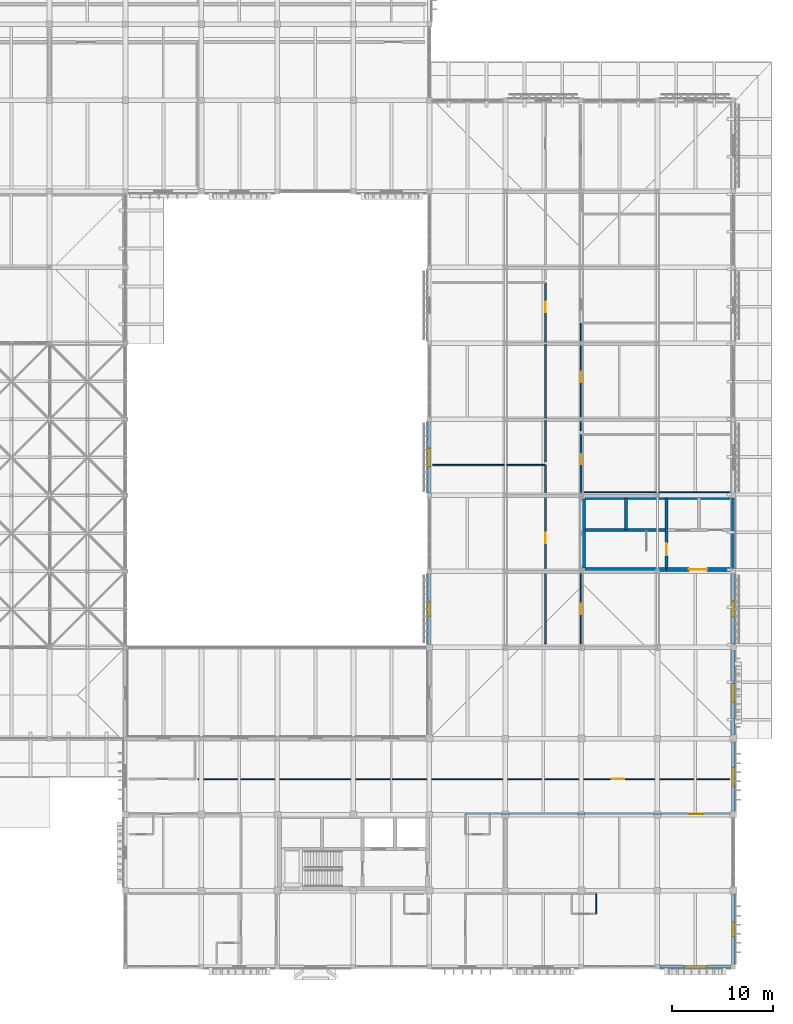
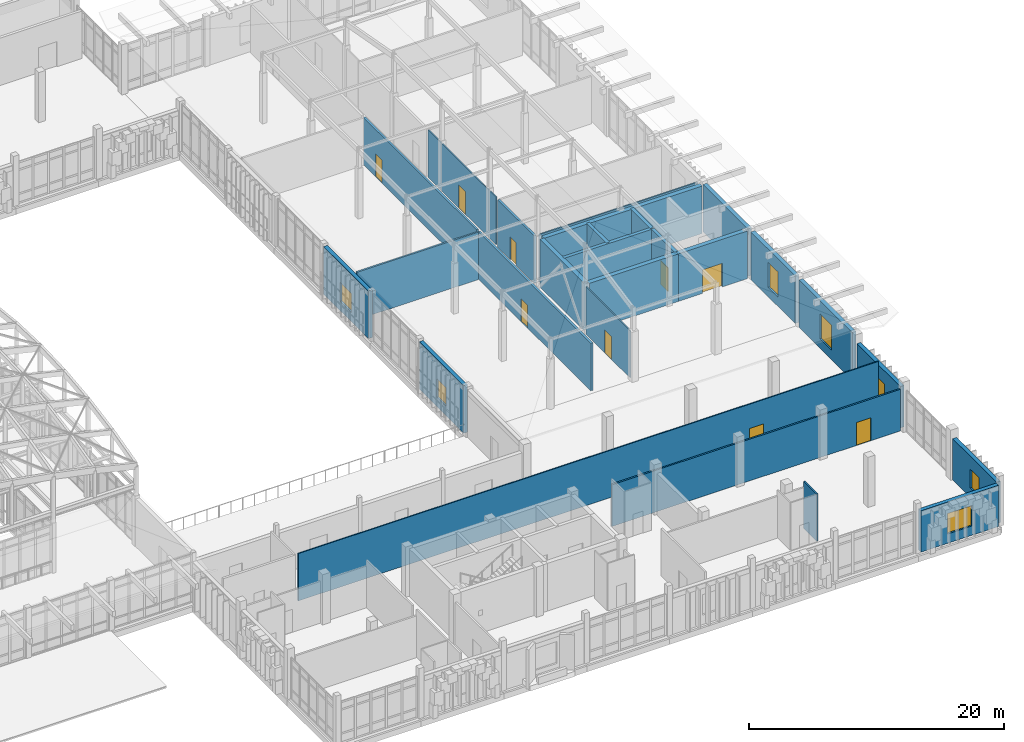
# One storey, part 108 of 131: 26 walls, 9 doors, 7 windows, 16 openings.
"""IFC4 building model written with IfcOpenShell, lengths in metres."""

import ifcopenshell
import ifcopenshell.guid

model = None  # the IFC model being written
_history = None  # IfcOwnerHistory: only IFC2X3 demands one
_inside = {}  # id of a spatial element -> (the spatial element, [elements in it])
_under = {}  # id of a project, library or spatial element -> (it, [spatial elements below it])
_declared = {}  # id of a project -> (the project, [libraries it declares])
_typed = {}  # id of a type object -> (the type object, [elements of that type])
_made_of = {}  # id of a material, layer set ... -> (it, [elements and type objects made of it])


def new_model(schema):
    """Start an empty IFC model of exactly this schema.

    Asked for "IFC4X3", IfcOpenShell would pick the latest addendum, in which some entities
    have other attributes; the version numbers below select the first issue.
    IFC2X3 requires an IfcOwnerHistory on every rooted entity: one is made here for all.
    """
    global model, _history
    if schema == "IFC4X3":
        model = ifcopenshell.file(schema_version=(4, 3, 0, 0))
    else:
        model = ifcopenshell.file(schema=schema)
    _inside.clear()
    _under.clear()
    _declared.clear()
    _typed.clear()
    _made_of.clear()
    _history = None
    if model.schema == "IFC2X3":
        org = make("IfcOrganization", Name="unknown")
        user = make(
            "IfcPersonAndOrganization",
            ThePerson=make("IfcPerson", FamilyName="unknown"),
            TheOrganization=org,
        )
        app = make(
            "IfcApplication",
            ApplicationDeveloper=org,
            Version="unknown",
            ApplicationFullName="unknown",
            ApplicationIdentifier="unknown",
        )
        _history = make(
            "IfcOwnerHistory",
            OwningUser=user,
            OwningApplication=app,
            ChangeAction="ADDED",
            CreationDate=0,
        )
    return model


def make(cls, **values):
    """One entity of the class cls with the attributes given. An attribute that is None is left unset."""
    return model.create_entity(
        cls, **{name: value for name, value in values.items() if value is not None}
    )


def rooted(cls, **values):
    """An entity with a GlobalId (a new one), such as an element, a storey or a relation."""
    return make(cls, GlobalId=ifcopenshell.guid.new(), OwnerHistory=_history, **values)


def si_unit(unit_type, name, prefix=None):
    """IfcSIUnit, for example si_unit("LENGTHUNIT", "METRE", prefix="MILLI")."""
    return make("IfcSIUnit", UnitType=unit_type, Prefix=prefix, Name=name)


def assignment(units):
    """IfcUnitAssignment: the units of a project."""
    return None if units is None else make("IfcUnitAssignment", Units=units)


def point(xyz):
    """IfcCartesianPoint."""
    return None if xyz is None else make("IfcCartesianPoint", Coordinates=xyz)


def direction(xyz):
    """IfcDirection."""
    return None if xyz is None else make("IfcDirection", DirectionRatios=xyz)


def frame(location, z_axis=None, x_axis=None):
    """IfcAxis2Placement3D, a coordinate frame: its origin and axes. An axis left out is left unset."""
    return make(
        "IfcAxis2Placement3D",
        Location=point(location),
        Axis=direction(z_axis),
        RefDirection=direction(x_axis),
    )


def frame_2d(location, x_axis=None):
    """IfcAxis2Placement2D, a coordinate frame in the plane: its origin and x axis."""
    return make(
        "IfcAxis2Placement2D", Location=point(location), RefDirection=direction(x_axis)
    )


def origin():
    """The frame at (0, 0, 0) with its axes left unset."""
    return frame((0.0, 0.0, 0.0))


def place(relative_to, where):
    """IfcLocalPlacement: puts the frame where relative to a parent placement (None: the world)."""
    return make(
        "IfcLocalPlacement", PlacementRelTo=relative_to, RelativePlacement=where
    )


def context(
    kind, dimensions, precision=None, world=None, true_north=None, identifier=None
):
    """IfcGeometricRepresentationContext, for example the 3D "Model" context."""
    return make(
        "IfcGeometricRepresentationContext",
        ContextIdentifier=identifier,
        ContextType=kind,
        CoordinateSpaceDimension=dimensions,
        Precision=precision,
        WorldCoordinateSystem=world,
        TrueNorth=true_north,
    )


def subcontext(parent, identifier, kind, view, scale=None):
    """IfcGeometricRepresentationSubContext, for example "Body" below "Model"."""
    return make(
        "IfcGeometricRepresentationSubContext",
        ContextIdentifier=identifier,
        ContextType=kind,
        ParentContext=parent,
        TargetScale=scale,
        TargetView=view,
    )


def project(units=None, contexts=None):
    """IfcProject with its units and contexts."""
    return rooted(
        "IfcProject",
        Name="project",
        RepresentationContexts=contexts,
        UnitsInContext=assignment(units),
    )


def spatial(cls, under=None, at=None, **own):
    """A site, building, storey or space (cls), placed at a placement, below another one or the project."""
    s = rooted(cls, ObjectPlacement=at, **own)
    if under is not None:
        _under.setdefault(under.id(), (under, []))[1].append(s)
    return s


def profile(cls, at=None, kind="AREA", **sizes):
    """A parametric profile (cls). Its sizes go by their IFC names, for example OverallWidth=200.0."""
    return make(cls, ProfileType=kind, Position=at, **sizes)


def rectangle(**sizes):
    """IfcRectangleProfileDef."""
    return profile("IfcRectangleProfileDef", **sizes)


def extrude(swept, where, along, depth):
    """IfcExtrudedAreaSolid: the profile swept, set in the frame where, extruded along a direction by depth."""
    return make(
        "IfcExtrudedAreaSolid",
        SweptArea=swept,
        Position=where,
        ExtrudedDirection=direction(along),
        Depth=depth,
    )


def shape(context_of_items, identifier, shape_type, items):
    """IfcShapeRepresentation: the items that make up one representation, for example the "Body"."""
    return make(
        "IfcShapeRepresentation",
        ContextOfItems=context_of_items,
        RepresentationIdentifier=identifier,
        RepresentationType=shape_type,
        Items=items,
    )


def material(Name=None, Category=None):
    """IfcMaterial."""
    return make("IfcMaterial", Name=Name, Category=Category)


def layer(
    of_material, thickness, ventilated=None, Name=None, Category=None, Priority=None
):
    """IfcMaterialLayer: one layer of a wall or slab, of a material (None: an air gap)."""
    return make(
        "IfcMaterialLayer",
        Material=of_material,
        LayerThickness=thickness,
        IsVentilated=ventilated,
        Name=Name,
        Category=Category,
        Priority=Priority,
    )


def layer_set(layers, Name=None):
    """IfcMaterialLayerSet."""
    return make("IfcMaterialLayerSet", MaterialLayers=layers, LayerSetName=Name)


def made_of(thing, what):
    """Note that an element or type object is made of a material, layer set ...; save() writes the relation."""
    if what is not None:
        _made_of.setdefault(what.id(), (what, []))[1].append(thing)
    return thing


def type_object(cls, material=None, **own):
    """A type object (cls), such as IfcWallType, which elements share."""
    return made_of(rooted(cls, **own), material)


def element(
    cls,
    number,
    at=None,
    inside=None,
    cuts=None,
    type_object=None,
    material=None,
    context=None,
    identifier="Body",
    shape_type=None,
    held_by="IfcProductDefinitionShape",
    body=None,
    shapes=None,
    **own,
):
    """One element of the class cls, such as IfcWall. Its Tag is "e" and its number.

    at: its placement. inside: the storey or other place that contains it. cuts: it is an
    opening in that element (IfcRelVoidsElement). A single representation is given by context,
    identifier, shape_type and body (its items); several are given by shapes. held_by: the class
    of the entity that holds the representations. save() writes the other relations.
    """
    e = rooted(cls, Tag="e%d" % number, ObjectPlacement=at, **own)
    if body is not None:
        shapes = [shape(context, identifier, shape_type, body)]
    if shapes is not None:
        e.Representation = make(held_by, Representations=shapes)
    if inside is not None:
        _inside.setdefault(inside.id(), (inside, []))[1].append(e)
    if cuts is not None:
        rooted(
            "IfcRelVoidsElement", RelatingBuildingElement=cuts, RelatedOpeningElement=e
        )
    if type_object is not None:
        _typed.setdefault(type_object.id(), (type_object, []))[1].append(e)
    return made_of(e, material)


def fill(opening, filler):
    """IfcRelFillsElement: the door or window that sits in an opening."""
    return rooted(
        "IfcRelFillsElement",
        RelatingOpeningElement=opening,
        RelatedBuildingElement=filler,
    )


def aggregate(whole, parts):
    """IfcRelAggregates: a whole, such as a stair, and the parts it consists of."""
    return rooted("IfcRelAggregates", RelatingObject=whole, RelatedObjects=parts)


def save(model, path):
    """Write the relations noted so far, then the file.

    IfcRelAggregates (storeys below a building ...), IfcRelContainedInSpatialStructure (elements
    in a storey), IfcRelDefinesByType, IfcRelAssociatesMaterial and IfcRelDeclares: one each for
    every whole, place, type object, material and project.
    """
    for whole, parts in _under.values():
        aggregate(whole, parts)
    for where, things in _inside.values():
        rooted(
            "IfcRelContainedInSpatialStructure",
            RelatedElements=things,
            RelatingStructure=where,
        )
    for kind, things in _typed.values():
        rooted("IfcRelDefinesByType", RelatedObjects=things, RelatingType=kind)
    for what, things in _made_of.values():
        rooted("IfcRelAssociatesMaterial", RelatedObjects=things, RelatingMaterial=what)
    for by, libraries in _declared.values():
        rooted("IfcRelDeclares", RelatingContext=by, RelatedDefinitions=libraries)
    model.write(path)


model = new_model("IFC4")

# Units and contexts
model_context = context("Model", 3, precision=1e-05, world=origin(), true_north=direction((0.0, 1.0)))
body_context = subcontext(model_context, "Body", "Model", "MODEL_VIEW")
ifc_project = project(units=[si_unit("LENGTHUNIT", "METRE"), si_unit("AREAUNIT", "SQUARE_METRE"), si_unit("VOLUMEUNIT", "CUBIC_METRE"), si_unit("PLANEANGLEUNIT", "RADIAN"), si_unit("MASSUNIT", "GRAM", prefix="KILO")], contexts=[model_context])

# Site, building, storey
site_placement = place(None, origin())
site = spatial("IfcSite", under=ifc_project, at=site_placement, CompositionType="ELEMENT")
building_placement = place(site_placement, origin())
building = spatial("IfcBuilding", under=site, at=building_placement, Name="Dalvernix Boulevard General Hospital", CompositionType="ELEMENT")
storey_placement = place(building_placement, frame((0.0, 0.0, 9.300048828125)))
storey = spatial("IfcBuildingStorey", under=building, at=storey_placement, Name="L02", CompositionType="ELEMENT", Elevation=9.300048828125)

# Wall
ifc_material_1 = material(Name="Concrete C40/50", Category="concrete")
ifc_layer_1 = layer(ifc_material_1, 0.39990234375)
ifc_layer_set_1 = layer_set([ifc_layer_1], Name="Concrete C40/50 (WAL-CSW-01)")
wall_type_1 = type_object("IfcWallType", Name="WAL-CSW-01", PredefinedType="SHEAR", material=ifc_layer_set_1)
wall_1_placement = place(storey_placement, frame((157.85009765625, 39.199951171875, 0.0), z_axis=(0.0, 0.0, 1.0), x_axis=(1.0, 0.0, 0.0)))
element("IfcWall", 1, at=wall_1_placement, inside=storey, type_object=wall_type_1, Name="L02 C6 south stairwell wall", PredefinedType="SHEAR", context=body_context, shape_type="SweptSolid", body=[
    extrude(rectangle(XDim=8.0498046875, YDim=0.39990234375, at=frame_2d((4.02490234375, 0.0))), origin(), (0.0, 0.0, 1.0), 4.550048828125),
])

# Wall, opening, door
wall_2_placement = place(storey_placement, frame((165.89990234375, 39.199951171875, 0.0), z_axis=(0.0, 0.0, 1.0), x_axis=(1.0, 0.0, 0.0)))
wall_2 = element("IfcWall", 2, at=wall_2_placement, inside=storey, type_object=wall_type_1, Name="L02 C6 south firefighting lobby wall", PredefinedType="SHEAR", context=body_context, shape_type="SweptSolid", body=[
    extrude(rectangle(XDim=6.25, YDim=0.39990234375, at=frame_2d((3.125, 0.0))), origin(), (0.0, 0.0, 1.0), 4.550048828125),
])
opening_1_placement = place(wall_2_placement, frame((2.199951171875, 0.0, 0.0)))
opening_1 = element("IfcOpeningElement", 3, at=opening_1_placement, cuts=wall_2, Name="Opening FD-01", PredefinedType="OPENING", context=body_context, shape_type="SweptSolid", body=[
    extrude(rectangle(XDim=1.800048828125, YDim=2.25, at=frame_2d((0.89990234375, 1.125))), frame((0.0, 0.2099609375, 0.0), z_axis=(0.0, -1.0, 0.0), x_axis=(1.0, 0.0, 0.0)), (0.0, 0.0, 1.0), 0.419921875),
])
ifc_material_2 = material(Name="Hospital laminate acoustic timber and steel frame", Category="steel")
door_type_1 = type_object("IfcDoorType", Name="DR-FD-01", OperationType="DOUBLE_DOOR_SINGLE_SWING", PredefinedType="DOOR", material=ifc_material_2)
door_1_placement = place(opening_1_placement, origin())
door_1 = element("IfcDoor", 4, at=door_1_placement, inside=storey, type_object=door_type_1, Name="L02 C6 firefighting lobby door", OperationType="DOUBLE_DOOR_SINGLE_SWING", OverallHeight=2.25, OverallWidth=1.800048828125, PredefinedType="DOOR", context=body_context, shape_type="SweptSolid", body=[
    extrude(rectangle(XDim=1.800048828125, YDim=2.25, at=frame_2d((0.89990234375, 1.125))), frame((0.0, 0.02490234375, 0.0), z_axis=(0.0, -1.0, 0.0), x_axis=(1.0, 0.0, 0.0)), (0.0, 0.0, 1.0), 0.050048828125),
])
fill(opening_1, door_1)

# Walls
wall_3_placement = place(storey_placement, frame((157.85009765625, 46.300048828125, 0.0), z_axis=(0.0, 0.0, 1.0), x_axis=(1.0, 0.0, 0.0)))
element("IfcWall", 5, at=wall_3_placement, inside=storey, type_object=wall_type_1, Name="L02 C6 north shaft core wall", PredefinedType="SHEAR", context=body_context, shape_type="SweptSolid", body=[
    extrude(rectangle(XDim=14.2998046875, YDim=0.39990234375, at=frame_2d((7.14990234375, 0.0))), origin(), (0.0, 0.0, 1.0), 4.550048828125),
])
wall_4_placement = place(storey_placement, frame((157.699951171875, 39.35009765625, 0.0), z_axis=(0.0, 0.0, 1.0), x_axis=(0.0, 1.0, 0.0)))
element("IfcWall", 6, at=wall_4_placement, inside=storey, type_object=wall_type_1, Name="L02 C6 west core wall", PredefinedType="SHEAR", context=body_context, shape_type="SweptSolid", body=[
    extrude(rectangle(XDim=6.7998046875, YDim=0.39990234375, at=frame_2d((3.39990234375, 0.0))), origin(), (0.0, 0.0, 1.0), 4.550048828125),
])
ifc_layer_2 = layer(ifc_material_1, 0.300048828125)
ifc_layer_set_2 = layer_set([ifc_layer_2], Name="Concrete C40/50 (WAL-CSW-02)")
wall_type_2 = type_object("IfcWallType", Name="WAL-CSW-02", PredefinedType="SHEAR", material=ifc_layer_set_2)
wall_5_placement = place(storey_placement, frame((157.85009765625, 43.10009765625, 0.0), z_axis=(0.0, 0.0, 1.0), x_axis=(1.0, 0.0, 0.0)))
element("IfcWall", 7, at=wall_5_placement, inside=storey, type_object=wall_type_2, Name="L02 C6 riser spine wall", PredefinedType="SHEAR", context=body_context, shape_type="SweptSolid", body=[
    extrude(rectangle(XDim=8.0498046875, YDim=0.300048828125, at=frame_2d((4.02490234375, 0.0))), origin(), (0.0, 0.0, 1.0), 4.550048828125),
])

# Wall, opening, door
wall_6_placement = place(storey_placement, frame((165.89990234375, 43.0, 0.0), z_axis=(0.0, 0.0, 1.0), x_axis=(0.0, -1.0, 0.0)))
wall_6 = element("IfcWall", 8, at=wall_6_placement, inside=storey, type_object=wall_type_2, Name="L02 C6 stairwell fire wall", PredefinedType="SHEAR", context=body_context, shape_type="SweptSolid", body=[
    extrude(rectangle(XDim=3.64990234375, YDim=0.300048828125, at=frame_2d((1.824951171875, 0.0))), origin(), (0.0, 0.0, 1.0), 4.550048828125),
])
opening_2_placement = place(wall_6_placement, frame((1.219970703125, 0.0, 0.0)))
opening_2 = element("IfcOpeningElement", 9, at=opening_2_placement, cuts=wall_6, Name="Opening FD-02", PredefinedType="OPENING", context=body_context, shape_type="SweptSolid", body=[
    extrude(rectangle(XDim=1.199951171875, YDim=2.25, at=frame_2d((0.60009765625, 1.125))), frame((0.0, 0.159912109375, 0.0), z_axis=(0.0, -1.0, 0.0), x_axis=(1.0, 0.0, 0.0)), (0.0, 0.0, 1.0), 0.320068359375),
])
door_type_2 = type_object("IfcDoorType", Name="DR-FD-02", OperationType="NOTDEFINED", PredefinedType="DOOR", material=ifc_material_2)
door_2_placement = place(opening_2_placement, origin())
door_2 = element("IfcDoor", 10, at=door_2_placement, inside=storey, type_object=door_type_2, Name="L02 Stair ST-06 fire door", OperationType="SINGLE_SWING_RIGHT", OverallHeight=2.25, OverallWidth=1.199951171875, PredefinedType="DOOR", context=body_context, shape_type="SweptSolid", body=[
    extrude(rectangle(XDim=1.199951171875, YDim=2.25, at=frame_2d((0.60009765625, 1.125))), frame((0.0, 0.02490234375, 0.0), z_axis=(0.0, -1.0, 0.0), x_axis=(1.0, 0.0, 0.0)), (0.0, 0.0, 1.0), 0.050048828125),
])
fill(opening_2, door_2)

# Walls
for number, where, z_axis, x_axis, name in (
    (11, (161.89990234375, 43.10009765625, 0.0), (0.0, 0.0, 1.0), (0.0, 1.0, 0.0), "L02 C6 shaft divider R1"),
    (12, (165.89990234375, 43.10009765625, 0.0), (0.0, 0.0, 1.0), (0.0, 1.0, 0.0), "L02 C6 shaft divider R2"),
):
    element("IfcWall", number, at=place(storey_placement, frame(where, z_axis=z_axis, x_axis=x_axis)), inside=storey, type_object=wall_type_2, Name=name, PredefinedType="SHEAR", context=body_context, shape_type="SweptSolid", body=[
        extrude(rectangle(XDim=3.14990234375, YDim=0.300048828125, at=frame_2d((1.574951171875, 0.0))), origin(), (0.0, 0.0, 1.0), 4.550048828125),
    ])
ifc_layer_3 = layer(ifc_material_1, 0.35009765625)
ifc_layer_set_3 = layer_set([ifc_layer_3], Name="Concrete C40/50 (WAL-ESW-01)")
wall_type_3 = type_object("IfcWallType", Name="WAL-ESW-01", PredefinedType="SHEAR", material=ifc_layer_set_3)
wall_7_placement = place(storey_placement, frame((172.5, 46.264892578125, 0.0), z_axis=(0.0, 0.0, 1.0), x_axis=(0.0, -1.0, 0.0)))
element("IfcWall", 13, at=wall_7_placement, inside=storey, type_object=wall_type_3, Name="L02 core perimeter shear wall E 23-5", PredefinedType="SHEAR", context=body_context, shape_type="SweptSolid", body=[
    extrude(rectangle(XDim=7.02978515625, YDim=0.35009765625, at=frame_2d((3.514892578125, 0.0))), origin(), (0.0, 0.0, 1.0), 4.550048828125),
])

# Wall, opening, window
ifc_material_3 = material(Name="Pressed Catalan clay brick and insulated concrete cavity wall C35/45", Category="masonry")
ifc_layer_4 = layer(ifc_material_3, 0.35009765625)
ifc_layer_set_4 = layer_set([ifc_layer_4], Name="Pressed Catalan clay brick and insulated concrete cavity wall C35/45 (WAL-EW-01)")
wall_type_4 = type_object("IfcWallType", Name="WAL-EW-01", PredefinedType="STANDARD", material=ifc_layer_set_4)
wall_8_placement = place(storey_placement, frame((142.5, 31.81005859375, 0.0), z_axis=(0.0, 0.0, 1.0), x_axis=(0.0, 1.0, 0.0)))
wall_8 = element("IfcWall", 14, at=wall_8_placement, inside=storey, type_object=wall_type_4, Name="L02 Catalan brick external wall W 19-4", PredefinedType="STANDARD", context=body_context, shape_type="SweptSolid", body=[
    extrude(rectangle(XDim=6.954833984375, YDim=0.35009765625, at=frame_2d((3.4775390625, 0.0))), origin(), (0.0, 0.0, 1.0), 4.550048828125),
])
opening_3_placement = place(wall_8_placement, frame((2.777587890625, 0.0, 0.89990234375)))
opening_3 = element("IfcOpeningElement", 15, at=opening_3_placement, cuts=wall_8, Name="Opening WN-14", PredefinedType="OPENING", context=body_context, shape_type="SweptSolid", body=[
    extrude(rectangle(XDim=1.39990234375, YDim=1.800048828125, at=frame_2d((0.699951171875, 0.89990234375))), frame((0.0, 0.18505859375, 0.0), z_axis=(0.0, -1.0, 0.0), x_axis=(1.0, 0.0, 0.0)), (0.0, 0.0, 1.0), 0.3701171875),
])
ifc_material_4 = material(Name="Thermally broken aluminium frame with solar-control double glazing", Category="aluminium")
window_type_1 = type_object("IfcWindowType", Name="WIN-WN-14", PartitioningType="SINGLE_PANEL", PredefinedType="WINDOW", material=ifc_material_4)
window_1_placement = place(opening_3_placement, origin())
window_1 = element("IfcWindow", 16, at=window_1_placement, inside=storey, type_object=window_type_1, Name="L02 clinical window WN-14 W 19-4", OverallHeight=1.800048828125, OverallWidth=1.39990234375, PartitioningType="SINGLE_PANEL", PredefinedType="WINDOW", context=body_context, shape_type="SweptSolid", body=[
    extrude(rectangle(XDim=1.39990234375, YDim=1.800048828125, at=frame_2d((0.699951171875, 0.89990234375))), frame((0.0, 0.030029296875, 0.0), z_axis=(0.0, -1.0, 0.0), x_axis=(1.0, 0.0, 0.0)), (0.0, 0.0, 1.0), 0.06005859375),
])
fill(opening_3, window_1)

wall_9_placement = place(storey_placement, frame((142.5, 46.735107421875, 0.0), z_axis=(0.0, 0.0, 1.0), x_axis=(0.0, 1.0, 0.0)))
wall_9 = element("IfcWall", 17, at=wall_9_placement, inside=storey, type_object=wall_type_4, Name="L02 Catalan brick external wall W 19-6", PredefinedType="STANDARD", context=body_context, shape_type="SweptSolid", body=[
    extrude(rectangle(XDim=7.02978515625, YDim=0.35009765625, at=frame_2d((3.514892578125, 0.0))), origin(), (0.0, 0.0, 1.0), 4.550048828125),
])
opening_4_placement = place(wall_9_placement, frame((2.614990234375, 0.0, 0.89990234375)))
opening_4 = element("IfcOpeningElement", 18, at=opening_4_placement, cuts=wall_9, Name="Opening WN-16", PredefinedType="OPENING", context=body_context, shape_type="SweptSolid", body=[
    extrude(rectangle(XDim=1.800048828125, YDim=1.800048828125, at=frame_2d((0.89990234375, 0.89990234375))), frame((0.0, 0.18505859375, 0.0), z_axis=(0.0, -1.0, 0.0), x_axis=(1.0, 0.0, 0.0)), (0.0, 0.0, 1.0), 0.3701171875),
])
window_type_2 = type_object("IfcWindowType", Name="WIN-WN-16", PartitioningType="SINGLE_PANEL", PredefinedType="WINDOW", material=ifc_material_4)
window_2_placement = place(opening_4_placement, origin())
window_2 = element("IfcWindow", 19, at=window_2_placement, inside=storey, type_object=window_type_2, Name="L02 clinical window WN-16 W 19-6", OverallHeight=1.800048828125, OverallWidth=1.800048828125, PartitioningType="SINGLE_PANEL", PredefinedType="WINDOW", context=body_context, shape_type="SweptSolid", body=[
    extrude(rectangle(XDim=1.800048828125, YDim=1.800048828125, at=frame_2d((0.89990234375, 0.89990234375))), frame((0.0, 0.030029296875, 0.0), z_axis=(0.0, -1.0, 0.0), x_axis=(1.0, 0.0, 0.0)), (0.0, 0.0, 1.0), 0.06005859375),
])
fill(opening_4, window_2)

wall_10_placement = place(storey_placement, frame((172.264892578125, 0.0, 0.0), z_axis=(0.0, 0.0, 1.0), x_axis=(-1.0, 0.0, 0.0)))
wall_10 = element("IfcWall", 20, at=wall_10_placement, inside=storey, type_object=wall_type_4, Name="L02 Catalan brick external wall S 22-0", PredefinedType="STANDARD", context=body_context, shape_type="SweptSolid", body=[
    extrude(rectangle(XDim=7.02978515625, YDim=0.35009765625, at=frame_2d((3.514892578125, 0.0))), origin(), (0.0, 0.0, 1.0), 3.949951171875),
])
opening_5_placement = place(wall_10_placement, frame((2.4150390625, 0.0, 0.89990234375)))
opening_5 = element("IfcOpeningElement", 21, at=opening_5_placement, cuts=wall_10, Name="Opening WN-13", PredefinedType="OPENING", context=body_context, shape_type="SweptSolid", body=[
    extrude(rectangle(XDim=2.199951171875, YDim=1.949951171875, at=frame_2d((1.10009765625, 0.97509765625))), frame((0.0, 0.18505859375, 0.0), z_axis=(0.0, -1.0, 0.0), x_axis=(1.0, 0.0, 0.0)), (0.0, 0.0, 1.0), 0.3701171875),
])
window_type_3 = type_object("IfcWindowType", Name="WIN-WN-13", PartitioningType="SINGLE_PANEL", PredefinedType="WINDOW", material=ifc_material_4)
window_3_placement = place(opening_5_placement, origin())
window_3 = element("IfcWindow", 22, at=window_3_placement, inside=storey, type_object=window_type_3, Name="L02 clinical window WN-13 S 22-0", OverallHeight=1.949951171875, OverallWidth=2.199951171875, PartitioningType="SINGLE_PANEL", PredefinedType="WINDOW", context=body_context, shape_type="SweptSolid", body=[
    extrude(rectangle(XDim=2.199951171875, YDim=1.949951171875, at=frame_2d((1.10009765625, 0.97509765625))), frame((0.0, 0.030029296875, 0.0), z_axis=(0.0, -1.0, 0.0), x_axis=(1.0, 0.0, 0.0)), (0.0, 0.0, 1.0), 0.06005859375),
])
fill(opening_5, window_3)

wall_11_placement = place(storey_placement, frame((172.5, 7.139892578125, 0.0), z_axis=(0.0, 0.0, 1.0), x_axis=(0.0, -1.0, 0.0)))
wall_11 = element("IfcWall", 23, at=wall_11_placement, inside=storey, type_object=wall_type_4, Name="L02 Catalan brick external wall E 23-0", PredefinedType="STANDARD", context=body_context, shape_type="SweptSolid", body=[
    extrude(rectangle(XDim=6.90478515625, YDim=0.35009765625, at=frame_2d((3.452392578125, 0.0))), origin(), (0.0, 0.0, 1.0), 3.949951171875),
])
opening_6_placement = place(wall_11_placement, frame((2.75244140625, 0.0, 0.89990234375)))
opening_6 = element("IfcOpeningElement", 24, at=opening_6_placement, cuts=wall_11, Name="Opening WN-14", PredefinedType="OPENING", context=body_context, shape_type="SweptSolid", body=[
    extrude(rectangle(XDim=1.39990234375, YDim=1.800048828125, at=frame_2d((0.699951171875, 0.89990234375))), frame((0.0, 0.18505859375, 0.0), z_axis=(0.0, -1.0, 0.0), x_axis=(1.0, 0.0, 0.0)), (0.0, 0.0, 1.0), 0.3701171875),
])
window_4_placement = place(opening_6_placement, origin())
window_4 = element("IfcWindow", 25, at=window_4_placement, inside=storey, type_object=window_type_1, Name="L02 clinical window WN-14 E 23-0", OverallHeight=1.800048828125, OverallWidth=1.39990234375, PartitioningType="SINGLE_PANEL", PredefinedType="WINDOW", context=body_context, shape_type="SweptSolid", body=[
    extrude(rectangle(XDim=1.39990234375, YDim=1.800048828125, at=frame_2d((0.699951171875, 0.89990234375))), frame((0.0, 0.030029296875, 0.0), z_axis=(0.0, -1.0, 0.0), x_axis=(1.0, 0.0, 0.0)), (0.0, 0.0, 1.0), 0.06005859375),
])
fill(opening_6, window_4)

wall_12_placement = place(storey_placement, frame((172.5, 22.139892578125, 0.0), z_axis=(0.0, 0.0, 1.0), x_axis=(0.0, -1.0, 0.0)))
wall_12 = element("IfcWall", 26, at=wall_12_placement, inside=storey, type_object=wall_type_4, Name="L02 Catalan brick external wall E 23-2", PredefinedType="STANDARD", context=body_context, shape_type="SweptSolid", body=[
    extrude(rectangle(XDim=6.804931640625, YDim=0.35009765625, at=frame_2d((3.40234375, 0.0))), origin(), (0.0, 0.0, 1.0), 3.949951171875),
])
opening_7_placement = place(wall_12_placement, frame((2.50244140625, 0.0, 0.89990234375)))
opening_7 = element("IfcOpeningElement", 27, at=opening_7_placement, cuts=wall_12, Name="Opening WN-16", PredefinedType="OPENING", context=body_context, shape_type="SweptSolid", body=[
    extrude(rectangle(XDim=1.800048828125, YDim=1.800048828125, at=frame_2d((0.89990234375, 0.89990234375))), frame((0.0, 0.18505859375, 0.0), z_axis=(0.0, -1.0, 0.0), x_axis=(1.0, 0.0, 0.0)), (0.0, 0.0, 1.0), 0.3701171875),
])
window_5_placement = place(opening_7_placement, origin())
window_5 = element("IfcWindow", 28, at=window_5_placement, inside=storey, type_object=window_type_2, Name="L02 clinical window WN-16 E 23-2", OverallHeight=1.800048828125, OverallWidth=1.800048828125, PartitioningType="SINGLE_PANEL", PredefinedType="WINDOW", context=body_context, shape_type="SweptSolid", body=[
    extrude(rectangle(XDim=1.800048828125, YDim=1.800048828125, at=frame_2d((0.89990234375, 0.89990234375))), frame((0.0, 0.030029296875, 0.0), z_axis=(0.0, -1.0, 0.0), x_axis=(1.0, 0.0, 0.0)), (0.0, 0.0, 1.0), 0.06005859375),
])
fill(opening_7, window_5)

wall_13_placement = place(storey_placement, frame((172.5, 31.18994140625, 0.0), z_axis=(0.0, 0.0, 1.0), x_axis=(0.0, -1.0, 0.0)))
wall_13 = element("IfcWall", 29, at=wall_13_placement, inside=storey, type_object=wall_type_4, Name="L02 Catalan brick external wall E 23-3", PredefinedType="STANDARD", context=body_context, shape_type="SweptSolid", body=[
    extrude(rectangle(XDim=8.329833984375, YDim=0.35009765625, at=frame_2d((4.1650390625, 0.0))), origin(), (0.0, 0.0, 1.0), 4.550048828125),
])
opening_8_placement = place(wall_13_placement, frame((3.264892578125, 0.0, 0.89990234375)))
opening_8 = element("IfcOpeningElement", 30, at=opening_8_placement, cuts=wall_13, Name="Opening WN-01", PredefinedType="OPENING", context=body_context, shape_type="SweptSolid", body=[
    extrude(rectangle(XDim=1.800048828125, YDim=2.39990234375, at=frame_2d((0.89990234375, 1.199951171875))), frame((0.0, 0.18505859375, 0.0), z_axis=(0.0, -1.0, 0.0), x_axis=(1.0, 0.0, 0.0)), (0.0, 0.0, 1.0), 0.3701171875),
])
window_type_4 = type_object("IfcWindowType", Name="WIN-WN-01", PartitioningType="SINGLE_PANEL", PredefinedType="WINDOW", material=ifc_material_4)
window_6_placement = place(opening_8_placement, origin())
window_6 = element("IfcWindow", 31, at=window_6_placement, inside=storey, type_object=window_type_4, Name="L02 clinical window WN-01 E 23-3", OverallHeight=2.39990234375, OverallWidth=1.800048828125, PartitioningType="SINGLE_PANEL", PredefinedType="WINDOW", context=body_context, shape_type="SweptSolid", body=[
    extrude(rectangle(XDim=1.800048828125, YDim=2.39990234375, at=frame_2d((0.89990234375, 1.199951171875))), frame((0.0, 0.030029296875, 0.0), z_axis=(0.0, -1.0, 0.0), x_axis=(1.0, 0.0, 0.0)), (0.0, 0.0, 1.0), 0.06005859375),
])
fill(opening_8, window_6)

wall_14_placement = place(storey_placement, frame((172.5, 38.764892578125, 0.0), z_axis=(0.0, 0.0, 1.0), x_axis=(0.0, -1.0, 0.0)))
wall_14 = element("IfcWall", 32, at=wall_14_placement, inside=storey, type_object=wall_type_4, Name="L02 Catalan brick external wall E 23-4", PredefinedType="STANDARD", context=body_context, shape_type="SweptSolid", body=[
    extrude(rectangle(XDim=6.954833984375, YDim=0.35009765625, at=frame_2d((3.4775390625, 0.0))), origin(), (0.0, 0.0, 1.0), 4.550048828125),
])
opening_9_placement = place(wall_14_placement, frame((2.7275390625, 0.0, 0.89990234375)))
opening_9 = element("IfcOpeningElement", 33, at=opening_9_placement, cuts=wall_14, Name="Opening WN-02", PredefinedType="OPENING", context=body_context, shape_type="SweptSolid", body=[
    extrude(rectangle(XDim=1.5, YDim=2.39990234375, at=frame_2d((0.75, 1.199951171875))), frame((0.0, 0.18505859375, 0.0), z_axis=(0.0, -1.0, 0.0), x_axis=(1.0, 0.0, 0.0)), (0.0, 0.0, 1.0), 0.3701171875),
])
window_type_5 = type_object("IfcWindowType", Name="WIN-WN-02", PartitioningType="SINGLE_PANEL", PredefinedType="WINDOW", material=ifc_material_4)
window_7_placement = place(opening_9_placement, origin())
window_7 = element("IfcWindow", 34, at=window_7_placement, inside=storey, type_object=window_type_5, Name="L02 clinical window WN-02 E 23-4", OverallHeight=2.39990234375, OverallWidth=1.5, PartitioningType="SINGLE_PANEL", PredefinedType="WINDOW", context=body_context, shape_type="SweptSolid", body=[
    extrude(rectangle(XDim=1.5, YDim=2.39990234375, at=frame_2d((0.75, 1.199951171875))), frame((0.0, 0.030029296875, 0.0), z_axis=(0.0, -1.0, 0.0), x_axis=(1.0, 0.0, 0.0)), (0.0, 0.0, 1.0), 0.06005859375),
])
fill(opening_9, window_7)

# Wall, opening, door
ifc_material_5 = material(Name="Fire-compartment corridor masonry wall", Category="masonry")
ifc_layer_5 = layer(ifc_material_5, 0.199951171875)
ifc_layer_set_5 = layer_set([ifc_layer_5], Name="Fire-compartment corridor masonry wall (WAL-IW-02)")
wall_type_5 = type_object("IfcWallType", Name="WAL-IW-02", PredefinedType="STANDARD", material=ifc_layer_set_5)
wall_15_placement = place(storey_placement, frame((153.949951171875, 31.85009765625, 0.0), z_axis=(0.0, 0.0, 1.0), x_axis=(0.0, 1.0, 0.0)))
wall_15 = element("IfcWall", 35, at=wall_15_placement, inside=storey, type_object=wall_type_5, Name="L02 Day Surgery Procedure Suite 01 corridor wall", PredefinedType="STANDARD", context=body_context, shape_type="SweptSolid", body=[
    extrude(rectangle(XDim=17.64990234375, YDim=0.199951171875, at=frame_2d((8.824951171875, 0.0))), origin(), (0.0, 0.0, 1.0), 4.534912109375),
])
opening_10_placement = place(wall_15_placement, frame((9.909912109375, 0.0, 0.0)))
opening_10 = element("IfcOpeningElement", 36, at=opening_10_placement, cuts=wall_15, Name="Opening ID-07", PredefinedType="OPENING", context=body_context, shape_type="SweptSolid", body=[
    extrude(rectangle(XDim=1.050048828125, YDim=2.199951171875, at=frame_2d((0.52490234375, 1.10009765625))), frame((0.0, 0.10986328125, 0.0), z_axis=(0.0, -1.0, 0.0), x_axis=(1.0, 0.0, 0.0)), (0.0, 0.0, 1.0), 0.219970703125),
])
door_type_3 = type_object("IfcDoorType", Name="DR-ID-07", OperationType="NOTDEFINED", PredefinedType="DOOR", material=ifc_material_2)
door_3_placement = place(opening_10_placement, origin())
door_3 = element("IfcDoor", 37, at=door_3_placement, inside=storey, type_object=door_type_3, Name="L02 Day Surgery Procedure Suite 01 door", OperationType="SINGLE_SWING_RIGHT", OverallHeight=2.199951171875, OverallWidth=1.050048828125, PredefinedType="DOOR", context=body_context, shape_type="SweptSolid", body=[
    extrude(rectangle(XDim=1.050048828125, YDim=2.199951171875, at=frame_2d((0.52490234375, 1.10009765625))), frame((0.0, 0.02490234375, 0.0), z_axis=(0.0, -1.0, 0.0), x_axis=(1.0, 0.0, 0.0)), (0.0, 0.0, 1.0), 0.050048828125),
])
fill(opening_10, door_3)

wall_16_placement = place(storey_placement, frame((157.449951171875, 52.5, 0.0), z_axis=(0.0, 0.0, 1.0), x_axis=(0.0, -1.0, 0.0)))
wall_16 = element("IfcWall", 38, at=wall_16_placement, inside=storey, type_object=wall_type_5, Name="L02 Accessible Public WC L02 East corridor wall", PredefinedType="STANDARD", context=body_context, shape_type="SweptSolid", body=[
    extrude(rectangle(XDim=5.699951171875, YDim=0.199951171875, at=frame_2d((2.85009765625, 0.0))), origin(), (0.0, 0.0, 1.0), 4.534912109375),
])
opening_11_placement = place(wall_16_placement, frame((1.949951171875, 0.0, 0.0)))
opening_11 = element("IfcOpeningElement", 39, at=opening_11_placement, cuts=wall_16, Name="Opening ID-06", PredefinedType="OPENING", context=body_context, shape_type="SweptSolid", body=[
    extrude(rectangle(XDim=0.949951171875, YDim=2.14990234375, at=frame_2d((0.47509765625, 1.074951171875))), frame((0.0, 0.10986328125, 0.0), z_axis=(0.0, -1.0, 0.0), x_axis=(1.0, 0.0, 0.0)), (0.0, 0.0, 1.0), 0.219970703125),
])
door_type_4 = type_object("IfcDoorType", Name="DR-ID-06", OperationType="NOTDEFINED", PredefinedType="DOOR", material=ifc_material_2)
door_4_placement = place(opening_11_placement, origin())
door_4 = element("IfcDoor", 40, at=door_4_placement, inside=storey, type_object=door_type_4, Name="L02 Accessible Public WC L02 East door", OperationType="SINGLE_SWING_RIGHT", OverallHeight=2.14990234375, OverallWidth=0.949951171875, PredefinedType="DOOR", context=body_context, shape_type="SweptSolid", body=[
    extrude(rectangle(XDim=0.949951171875, YDim=2.14990234375, at=frame_2d((0.47509765625, 1.074951171875))), frame((0.0, 0.02490234375, 0.0), z_axis=(0.0, -1.0, 0.0), x_axis=(1.0, 0.0, 0.0)), (0.0, 0.0, 1.0), 0.050048828125),
])
fill(opening_11, door_4)

ifc_material_6 = material(Name="Lead-lined diagnostic radiology partition")
ifc_layer_6 = layer(ifc_material_6, 0.179931640625)
ifc_layer_set_6 = layer_set([ifc_layer_6], Name="Lead-lined diagnostic radiology partition (WAL-IW-03)")
wall_type_6 = type_object("IfcWallType", Name="WAL-IW-03", PredefinedType="PARTITIONING", material=ifc_layer_set_6)
wall_17_placement = place(storey_placement, frame((153.949951171875, 49.800048828125, 0.0), z_axis=(0.0, 0.0, 1.0), x_axis=(0.0, 1.0, 0.0)))
wall_17 = element("IfcWall", 41, at=wall_17_placement, inside=storey, type_object=wall_type_6, Name="L02 Interventional Angiography Suite corridor wall", PredefinedType="PARTITIONING", context=body_context, shape_type="SweptSolid", body=[
    extrude(rectangle(XDim=17.699951171875, YDim=0.179931640625, at=frame_2d((8.85009765625, 0.0))), origin(), (0.0, 0.0, 1.0), 4.534912109375),
])
opening_12_placement = place(wall_17_placement, frame((14.784912109375, 0.0, 0.0)))
opening_12 = element("IfcOpeningElement", 42, at=opening_12_placement, cuts=wall_17, Name="Opening ID-07", PredefinedType="OPENING", context=body_context, shape_type="SweptSolid", body=[
    extrude(rectangle(XDim=1.050048828125, YDim=2.199951171875, at=frame_2d((0.52490234375, 1.10009765625))), frame((0.0, 0.099853515625, 0.0), z_axis=(0.0, -1.0, 0.0), x_axis=(1.0, 0.0, 0.0)), (0.0, 0.0, 1.0), 0.199951171875),
])
door_5_placement = place(opening_12_placement, origin())
door_5 = element("IfcDoor", 43, at=door_5_placement, inside=storey, type_object=door_type_3, Name="L02 Interventional Angiography Suite door", OperationType="SINGLE_SWING_LEFT", OverallHeight=2.199951171875, OverallWidth=1.050048828125, PredefinedType="DOOR", context=body_context, shape_type="SweptSolid", body=[
    extrude(rectangle(XDim=1.050048828125, YDim=2.199951171875, at=frame_2d((0.52490234375, 1.10009765625))), frame((0.0, 0.02490234375, 0.0), z_axis=(0.0, -1.0, 0.0), x_axis=(1.0, 0.0, 0.0)), (0.0, 0.0, 1.0), 0.050048828125),
])
fill(opening_12, door_5)

ifc_material_7 = material(Name="Acoustic double-stud gypsum inpatient partition")
ifc_layer_7 = layer(ifc_material_7, 0.14990234375)
ifc_layer_set_7 = layer_set([ifc_layer_7], Name="Acoustic double-stud gypsum inpatient partition (WAL-IW-04)")
wall_type_7 = type_object("IfcWallType", Name="WAL-IW-04", PredefinedType="PARTITIONING", material=ifc_layer_set_7)
wall_18_placement = place(storey_placement, frame((172.14990234375, 15.050048828125, 0.0), z_axis=(0.0, 0.0, 1.0), x_axis=(-1.0, 0.0, 0.0)))
wall_18 = element("IfcWall", 44, at=wall_18_placement, inside=storey, type_object=wall_type_7, Name="L02 Maternity Delivery Suite L02-04 corridor wall", PredefinedType="PARTITIONING", context=body_context, shape_type="SweptSolid", body=[
    extrude(rectangle(XDim=26.099853515625, YDim=0.14990234375, at=frame_2d((13.0498046875, 0.0))), origin(), (0.0, 0.0, 1.0), 3.98486328125),
])
opening_13_placement = place(wall_18_placement, frame((2.679931640625, 0.0, 0.0)))
opening_13 = element("IfcOpeningElement", 45, at=opening_13_placement, cuts=wall_18, Name="Opening ID-03", PredefinedType="OPENING", context=body_context, shape_type="SweptSolid", body=[
    extrude(rectangle(XDim=1.300048828125, YDim=2.199951171875, at=frame_2d((0.64990234375, 1.10009765625))), frame((0.0, 0.0849609375, 0.0), z_axis=(0.0, -1.0, 0.0), x_axis=(1.0, 0.0, 0.0)), (0.0, 0.0, 1.0), 0.169921875),
])
door_type_5 = type_object("IfcDoorType", Name="DR-ID-03", OperationType="NOTDEFINED", PredefinedType="DOOR", material=ifc_material_2)
door_6_placement = place(opening_13_placement, origin())
door_6 = element("IfcDoor", 46, at=door_6_placement, inside=storey, type_object=door_type_5, Name="L02 Maternity Delivery Suite L02-04 door", OperationType="SINGLE_SWING_RIGHT", OverallHeight=2.199951171875, OverallWidth=1.300048828125, PredefinedType="DOOR", context=body_context, shape_type="SweptSolid", body=[
    extrude(rectangle(XDim=1.300048828125, YDim=2.199951171875, at=frame_2d((0.64990234375, 1.10009765625))), frame((0.0, 0.02490234375, 0.0), z_axis=(0.0, -1.0, 0.0), x_axis=(1.0, 0.0, 0.0)), (0.0, 0.0, 1.0), 0.050048828125),
])
fill(opening_13, door_6)

# Walls
wall_19_placement = place(storey_placement, frame((142.85009765625, 49.5, 0.0), z_axis=(0.0, 0.0, 1.0), x_axis=(1.0, 0.0, 0.0)))
element("IfcWall", 47, at=wall_19_placement, inside=storey, type_object=wall_type_7, Name="L02 Day Surgery Procedure Suite 01 partition", PredefinedType="PARTITIONING", context=body_context, shape_type="SweptSolid", body=[
    extrude(rectangle(XDim=11.099853515625, YDim=0.14990234375, at=frame_2d((5.5498046875, 0.0))), origin(), (0.0, 0.0, 1.0), 4.534912109375),
])
ifc_material_8 = material(Name="Moisture-resistant en-suite bathroom partition")
ifc_layer_8 = layer(ifc_material_8, 0.1201171875)
ifc_layer_set_8 = layer_set([ifc_layer_8], Name="Moisture-resistant en-suite bathroom partition (WAL-IW-05)")
wall_type_8 = type_object("IfcWallType", Name="WAL-IW-05", PredefinedType="PARTITIONING", material=ifc_layer_set_8)
wall_20_placement = place(storey_placement, frame((158.949951171875, 5.199951171875, 0.0), z_axis=(0.0, 0.0, 1.0), x_axis=(0.0, 1.0, 0.0)))
element("IfcWall", 48, at=wall_20_placement, inside=storey, type_object=wall_type_8, Name="L02 En-suite Bathroom MAT-S3 enclosure wall E", PredefinedType="PARTITIONING", context=body_context, shape_type="SweptSolid", body=[
    extrude(rectangle(XDim=2.0, YDim=0.1201171875, at=frame_2d((1.0, 0.0))), origin(), (0.0, 0.0, 1.0), 4.534912109375),
])
wall_21_placement = place(storey_placement, frame((157.77490234375, 46.800048828125, 0.0), z_axis=(0.0, 0.0, 1.0), x_axis=(1.0, 0.0, 0.0)))
element("IfcWall", 49, at=wall_21_placement, inside=storey, type_object=wall_type_8, Name="L02 Accessible Public WC L02 East enclosure wall S", PredefinedType="PARTITIONING", context=body_context, shape_type="SweptSolid", body=[
    extrude(rectangle(XDim=14.375, YDim=0.1201171875, at=frame_2d((7.1875, 0.0))), origin(), (0.0, 0.0, 1.0), 4.534912109375),
])

# Wall, opening, door
ifc_material_9 = material(Name="Fire-resisting clinical sub-partition")
ifc_layer_9 = layer(ifc_material_9, 0.10009765625)
ifc_layer_set_9 = layer_set([ifc_layer_9], Name="Fire-resisting clinical sub-partition (WAL-IW-06)")
wall_type_9 = type_object("IfcWallType", Name="WAL-IW-06", PredefinedType="PARTITIONING", material=ifc_layer_set_9)
wall_22_placement = place(storey_placement, frame((119.64990234375, 18.5, 0.0), z_axis=(0.0, 0.0, 1.0), x_axis=(1.0, 0.0, 0.0)))
wall_22 = element("IfcWall", 50, at=wall_22_placement, inside=storey, type_object=wall_type_9, Name="L02 Maternity and Oncology Nurse Station L02 corridor wall", PredefinedType="PARTITIONING", context=body_context, shape_type="SweptSolid", body=[
    extrude(rectangle(XDim=52.5, YDim=0.10009765625, at=frame_2d((26.25, 0.0))), origin(), (0.0, 0.0, 1.0), 4.534912109375),
])
opening_14_placement = place(wall_22_placement, frame((40.85009765625, 0.0, 0.0)))
opening_14 = element("IfcOpeningElement", 51, at=opening_14_placement, cuts=wall_22, Name="Opening ID-04", PredefinedType="OPENING", context=body_context, shape_type="SweptSolid", body=[
    extrude(rectangle(XDim=1.25, YDim=2.199951171875, at=frame_2d((0.625, 1.10009765625))), frame((0.0, 0.06005859375, 0.0), z_axis=(0.0, -1.0, 0.0), x_axis=(1.0, 0.0, 0.0)), (0.0, 0.0, 1.0), 0.1201171875),
])
door_type_6 = type_object("IfcDoorType", Name="DR-ID-04", OperationType="NOTDEFINED", PredefinedType="DOOR", material=ifc_material_2)
door_7_placement = place(opening_14_placement, origin())
door_7 = element("IfcDoor", 52, at=door_7_placement, inside=storey, type_object=door_type_6, Name="L02 Maternity and Oncology Nurse Station L02 door", OperationType="SINGLE_SWING_LEFT", OverallHeight=2.199951171875, OverallWidth=1.25, PredefinedType="DOOR", context=body_context, shape_type="SweptSolid", body=[
    extrude(rectangle(XDim=1.25, YDim=2.199951171875, at=frame_2d((0.625, 1.10009765625))), frame((0.0, 0.02490234375, 0.0), z_axis=(0.0, -1.0, 0.0), x_axis=(1.0, 0.0, 0.0)), (0.0, 0.0, 1.0), 0.050048828125),
])
fill(opening_14, door_7)

wall_23_placement = place(storey_placement, frame((157.449951171875, 38.75, 0.0), z_axis=(0.0, 0.0, 1.0), x_axis=(0.0, -1.0, 0.0)))
wall_23 = element("IfcWall", 53, at=wall_23_placement, inside=storey, type_object=wall_type_9, Name="L02 Specialty Consultation L02-E1 corridor wall", PredefinedType="PARTITIONING", context=body_context, shape_type="SweptSolid", body=[
    extrude(rectangle(XDim=6.89990234375, YDim=0.10009765625, at=frame_2d((3.449951171875, 0.0))), origin(), (0.0, 0.0, 1.0), 4.534912109375),
])
opening_15_placement = place(wall_23_placement, frame((2.925048828125, 0.0, 0.0)))
opening_15 = element("IfcOpeningElement", 54, at=opening_15_placement, cuts=wall_23, Name="Opening ID-07", PredefinedType="OPENING", context=body_context, shape_type="SweptSolid", body=[
    extrude(rectangle(XDim=1.050048828125, YDim=2.199951171875, at=frame_2d((0.52490234375, 1.10009765625))), frame((0.0, 0.06005859375, 0.0), z_axis=(0.0, -1.0, 0.0), x_axis=(1.0, 0.0, 0.0)), (0.0, 0.0, 1.0), 0.1201171875),
])
door_8_placement = place(opening_15_placement, origin())
door_8 = element("IfcDoor", 55, at=door_8_placement, inside=storey, type_object=door_type_3, Name="L02 Specialty Consultation L02-E1 door", OperationType="SINGLE_SWING_LEFT", OverallHeight=2.199951171875, OverallWidth=1.050048828125, PredefinedType="DOOR", context=body_context, shape_type="SweptSolid", body=[
    extrude(rectangle(XDim=1.050048828125, YDim=2.199951171875, at=frame_2d((0.52490234375, 1.10009765625))), frame((0.0, 0.02490234375, 0.0), z_axis=(0.0, -1.0, 0.0), x_axis=(1.0, 0.0, 0.0)), (0.0, 0.0, 1.0), 0.050048828125),
])
fill(opening_15, door_8)

wall_24_placement = place(storey_placement, frame((157.449951171875, 63.50341796875, 0.0), z_axis=(0.0, 0.0, 1.0), x_axis=(0.0, -1.0, 0.0)))
wall_24 = element("IfcWall", 56, at=wall_24_placement, inside=storey, type_object=wall_type_9, Name="L02 Outpatient Treatment Room L02-1 corridor wall", PredefinedType="PARTITIONING", context=body_context, shape_type="SweptSolid", body=[
    extrude(rectangle(XDim=10.62353515625, YDim=0.10009765625, at=frame_2d((5.311767578125, 0.0))), origin(), (0.0, 0.0, 1.0), 4.534912109375),
])
opening_16_placement = place(wall_24_placement, frame((4.78662109375, 0.0, 0.0)))
opening_16 = element("IfcOpeningElement", 57, at=opening_16_placement, cuts=wall_24, Name="Opening ID-07", PredefinedType="OPENING", context=body_context, shape_type="SweptSolid", body=[
    extrude(rectangle(XDim=1.050048828125, YDim=2.199951171875, at=frame_2d((0.52490234375, 1.10009765625))), frame((0.0, 0.06005859375, 0.0), z_axis=(0.0, -1.0, 0.0), x_axis=(1.0, 0.0, 0.0)), (0.0, 0.0, 1.0), 0.1201171875),
])
door_9_placement = place(opening_16_placement, origin())
door_9 = element("IfcDoor", 58, at=door_9_placement, inside=storey, type_object=door_type_3, Name="L02 Outpatient Treatment Room L02-1 door", OperationType="SINGLE_SWING_LEFT", OverallHeight=2.199951171875, OverallWidth=1.050048828125, PredefinedType="DOOR", context=body_context, shape_type="SweptSolid", body=[
    extrude(rectangle(XDim=1.050048828125, YDim=2.199951171875, at=frame_2d((0.52490234375, 1.10009765625))), frame((0.0, 0.02490234375, 0.0), z_axis=(0.0, -1.0, 0.0), x_axis=(1.0, 0.0, 0.0)), (0.0, 0.0, 1.0), 0.050048828125),
])
fill(opening_16, door_9)

save(model, "model.ifc")
